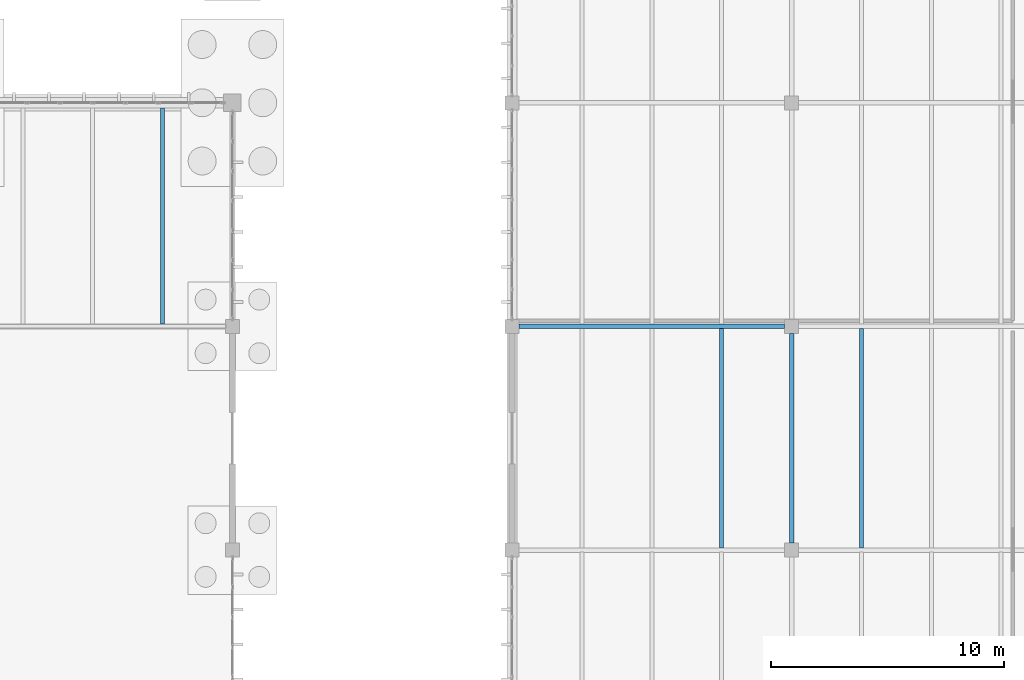
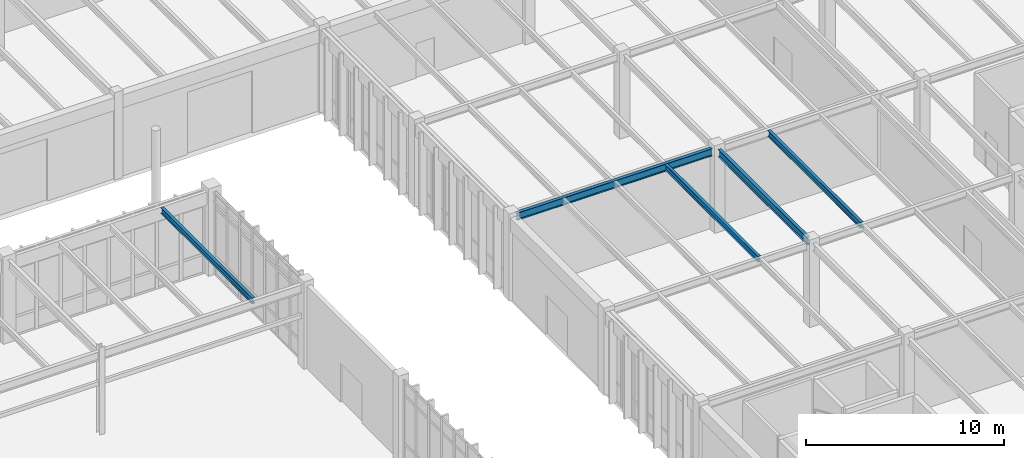
# One storey, part 113 of 188: 5 beams.
"""IFC4 building model written with IfcOpenShell, lengths in metres."""

from ifc_helpers import new_model, si_unit, direction, frame, origin, origin_2d, place, context, subcontext, project, spatial, i_section, extrude, material, material_profile, profile_set, type_object, element, save


model = new_model("IFC4")

# Units and contexts
model_context = context("Model", 3, precision=1e-05, world=origin(), true_north=direction((0.0, 1.0)))
body_context = subcontext(model_context, "Body", "Model", "MODEL_VIEW")
ifc_project = project(units=[si_unit("LENGTHUNIT", "METRE"), si_unit("AREAUNIT", "SQUARE_METRE"), si_unit("VOLUMEUNIT", "CUBIC_METRE"), si_unit("PLANEANGLEUNIT", "RADIAN"), si_unit("MASSUNIT", "GRAM", prefix="KILO")], contexts=[model_context])

# Site, building, storey
site_placement = place(None, origin())
site = spatial("IfcSite", under=ifc_project, at=site_placement, CompositionType="ELEMENT")
building_placement = place(site_placement, origin())
building = spatial("IfcBuilding", under=site, at=building_placement, Name="Pandanus Reach Market Hall", CompositionType="ELEMENT")
storey_placement = place(building_placement, origin())
storey = spatial("IfcBuildingStorey", under=building, at=storey_placement, Name="L00", CompositionType="ELEMENT", Elevation=0.0)

# Beams
ifc_material = material(Name="Steel Grade 350 (350 MPa)", Category="steel")
ifc_material_profile_1 = material_profile(ifc_material, i_section(OverallWidth=0.19091796875, OverallDepth=0.4599609375, WebThickness=0.010009765625, FlangeThickness=0.01611328125, at=origin_2d()), Name="460UB82.1", Category="LoadBearing")
ifc_profile_set_1 = profile_set([ifc_material_profile_1], Name="Steel Grade 350 (350 MPa)")
beam_type_1 = type_object("IfcBeamType", Name="BM-UB460H-I", PredefinedType="BEAM", material=ifc_profile_set_1)
beam_1_placement = place(storey_placement, frame((144.298095703125, 76.800048828125, 4.89453125), z_axis=(1.0, 0.0, 0.0), x_axis=(0.0, 1.0, 0.0)))
element("IfcBeam", 1, at=beam_1_placement, inside=storey, type_object=beam_type_1, Name="Framing beam BM-UB460H-I L00.179", PredefinedType="BEAM", context=body_context, shape_type="SweptSolid", body=[
    extrude(i_section(OverallWidth=0.19091796875, OverallDepth=0.4599609375, WebThickness=0.010009765625, FlangeThickness=0.01611328125, at=origin_2d()), origin(), (0.0, 0.0, 1.0), 11.40380859375),
])
beam_2_placement = place(storey_placement, frame((156.0, 67.498046875, 4.89453125), z_axis=(0.0, 1.0, 0.0), x_axis=(-1.0, 0.0, 0.0)))
element("IfcBeam", 2, at=beam_2_placement, inside=storey, type_object=beam_type_1, Name="Framing beam BM-UB460H-I L00.205", PredefinedType="BEAM", context=body_context, shape_type="SweptSolid", body=[
    extrude(i_section(OverallWidth=0.19091796875, OverallDepth=0.4599609375, WebThickness=0.010009765625, FlangeThickness=0.01611328125, at=origin_2d()), origin(), (0.0, 0.0, 1.0), 9.00390625),
])
ifc_material_profile_2 = material_profile(ifc_material, i_section(OverallWidth=0.1708984375, OverallDepth=0.35595703125, WebThickness=0.00732421875, FlangeThickness=0.011474609375, at=origin_2d()), Name="360UB50.7", Category="LoadBearing")
ifc_profile_set_2 = profile_set([ifc_material_profile_2], Name="Steel Grade 350 (350 MPa)")
beam_type_2 = type_object("IfcBeamType", Name="JS-UB360-I", PredefinedType="JOIST", material=ifc_profile_set_2)
beam_3_placement = place(storey_placement, frame((129.0, 76.902587890625, 4.941650390625), z_axis=(0.0, 1.0, 0.0), x_axis=(-1.0, 0.0, 0.0)))
element("IfcBeam", 3, at=beam_3_placement, inside=storey, type_object=beam_type_2, Name="Secondary joist JS-UB360-I L00.1137", PredefinedType="JOIST", context=body_context, shape_type="SweptSolid", body=[
    extrude(i_section(OverallWidth=0.1708984375, OverallDepth=0.35595703125, WebThickness=0.00732421875, FlangeThickness=0.011474609375, at=origin_2d()), origin(), (0.0, 0.0, 1.0), 9.2744140625),
])
ifc_material_profile_3 = material_profile(ifc_material, i_section(OverallWidth=0.172119140625, OverallDepth=0.35888671875, WebThickness=0.008056640625, FlangeThickness=0.012939453125, at=origin_2d()), Name="360UB56.7", Category="LoadBearing")
ifc_profile_set_3 = profile_set([ifc_material_profile_3], Name="Steel Grade 350 (350 MPa)")
beam_type_3 = type_object("IfcBeamType", Name="JS-UB360H-I", PredefinedType="JOIST", material=ifc_profile_set_3)
for number, where, z_axis, x_axis, name in (
    (4, (153.0, 67.29345703125, 4.945068359375), (0.0, 1.0, 0.0), (-1.0, 0.0, 0.0), "Secondary joist JS-UB360H-I L00.248"),
    (5, (159.0, 67.29345703125, 4.945068359375), (0.0, 1.0, 0.0), (-1.0, 0.0, 0.0), "Secondary joist JS-UB360H-I L00.273"),
):
    element("IfcBeam", number, at=place(storey_placement, frame(where, z_axis=z_axis, x_axis=x_axis)), inside=storey, type_object=beam_type_3, Name=name, PredefinedType="JOIST", context=body_context, shape_type="SweptSolid", body=[
        extrude(i_section(OverallWidth=0.172119140625, OverallDepth=0.35888671875, WebThickness=0.008056640625, FlangeThickness=0.012939453125, at=origin_2d()), origin(), (0.0, 0.0, 1.0), 9.4130859375),
    ])

save(model, "model.ifc")
